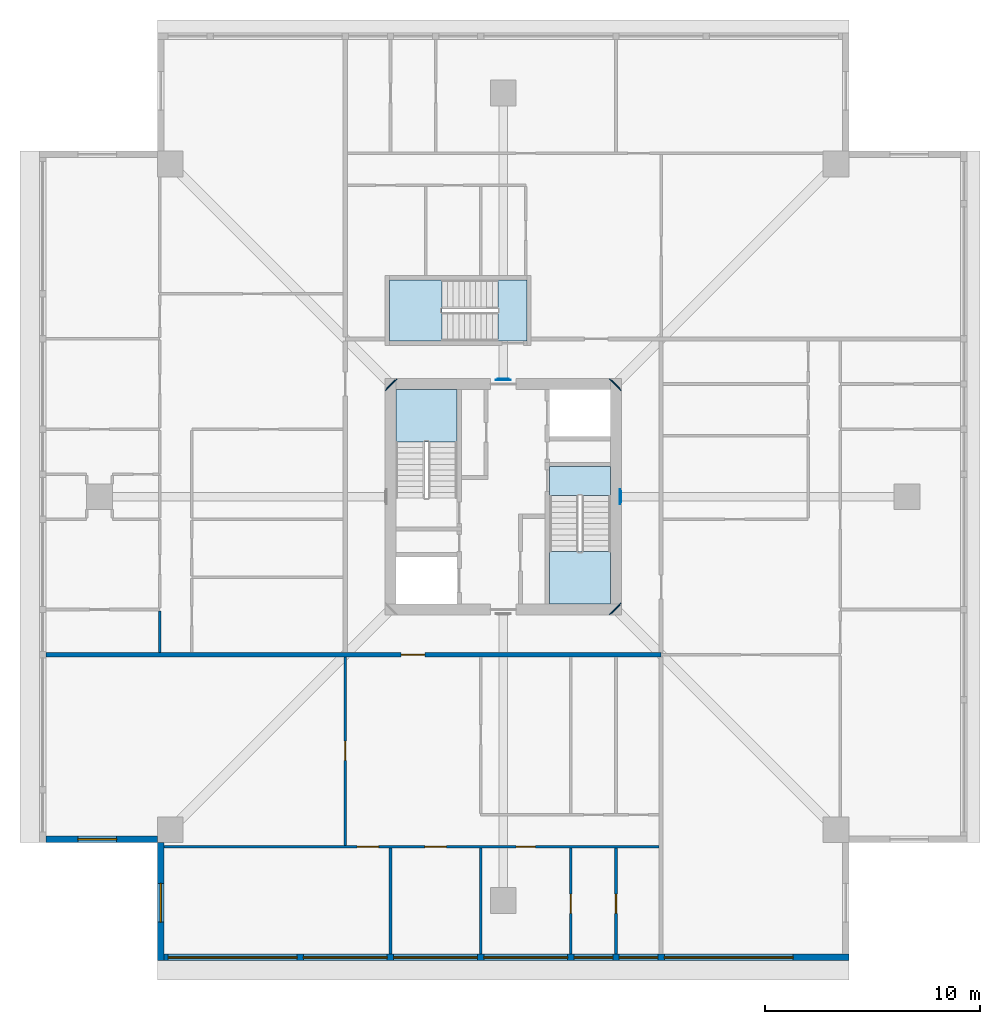
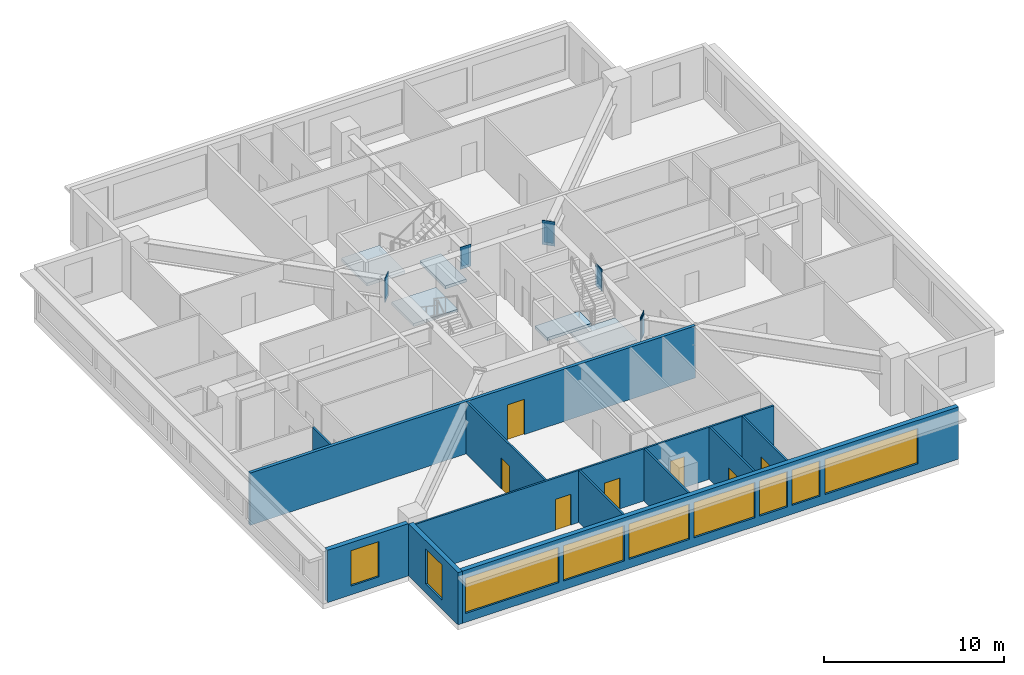
# One storey, part 4 of 12: 11 walls, 10 plates, 9 windows, 7 doors, 5 slabs, 16 openings, 3 elements without a shape of their own.
"""IFC4 building model written with IfcOpenShell, lengths in metres."""

from ifc_helpers import new_model, si_unit, direction, frame, frame_2d, origin, origin_2d, place, context, subcontext, project, spatial, polyline, rectangle, outline, extrude, material, layer, layer_set, type_object, element, fill, aggregate, save


model = new_model("IFC4")

# Units and contexts
model_context = context("Model", 3, precision=1e-05, world=origin(), true_north=direction((0.0, 1.0)))
body_context = subcontext(model_context, "Body", "Model", "MODEL_VIEW")
ifc_project = project(units=[si_unit("LENGTHUNIT", "METRE"), si_unit("AREAUNIT", "SQUARE_METRE"), si_unit("VOLUMEUNIT", "CUBIC_METRE"), si_unit("PLANEANGLEUNIT", "RADIAN"), si_unit("MASSUNIT", "GRAM", prefix="KILO")], contexts=[model_context])

# Site, building, storey
site_placement = place(None, origin())
site = spatial("IfcSite", under=ifc_project, at=site_placement, CompositionType="ELEMENT")
building_placement = place(site_placement, origin())
building = spatial("IfcBuilding", under=site, at=building_placement, Name="Khepri Terraces", CompositionType="ELEMENT")
storey_placement = place(building_placement, frame((0.0, 0.0, 296.699951171875)))
storey = spatial("IfcBuildingStorey", under=building, at=storey_placement, Name="L71", CompositionType="ELEMENT", Elevation=296.699951171875)

# Plates
ifc_material_1 = material(Name="Steel S355", Category="steel")
ifc_layer_1 = layer(ifc_material_1, 0.034912109375, Name="Steel S355", Category="steel")
ifc_layer_set_1 = layer_set([ifc_layer_1], Name="Steel S355")
plate_type_1 = type_object("IfcPlateType", Name="Cast-in plate 1500x700x35", PredefinedType="USERDEFINED", material=ifc_layer_set_1)
for number, where, z_axis, x_axis, name in (
    (1, (5.4423828125, 0.0, 2.25), (0.0, 0.0, 1.0), (1.0, 0.0, 0.0), "CAST-IN PLATE CG-L71-E MID wall A"),
    (2, (0.0, 5.4423828125, 2.25), (0.0, 0.0, 1.0), (0.0, 1.0, 0.0), "CAST-IN PLATE CG-L71-N MID wall A"),
):
    element("IfcPlate", number, at=place(storey_placement, frame(where, z_axis=z_axis, x_axis=x_axis)), inside=storey, type_object=plate_type_1, Name=name, ObjectType="CAST-IN PLATE", PredefinedType="USERDEFINED", context=body_context, shape_type="SweptSolid", body=[
        extrude(rectangle(XDim=0.034912109375, YDim=0.699951171875, at=origin_2d()), origin(), (0.0, 0.0, 1.0), 1.5),
    ])
ifc_layer_2 = layer(ifc_material_1, 0.034912109375, Name="Steel S355", Category="steel")
ifc_layer_set_2 = layer_set([ifc_layer_2], Name="Steel S355")
plate_type_2 = type_object("IfcPlateType", Name="Cast-in plate 1650x750x35", PredefinedType="USERDEFINED", material=ifc_layer_set_2)
for number, where, z_axis, x_axis, name in (
    (3, (5.209228515625, 5.209228515625, 2.10009765625), (0.0, 0.0, 1.0), (0.707106781187, 0.707106781187, 0.0), "CAST-IN PLATE CG-L71-EN MID wall A"),
    (4, (5.209228515625, -5.209228515625, 2.10009765625), (0.0, 0.0, 1.0), (0.707106781187, -0.707106781187, 0.0), "CAST-IN PLATE CG-L71-ES MID wall A"),
    (5, (-5.209228515625, 5.209228515625, 2.10009765625), (0.0, 0.0, 1.0), (-0.707106781187, 0.707106781187, 0.0), "CAST-IN PLATE CG-L71-WN MID wall A"),
):
    element("IfcPlate", number, at=place(storey_placement, frame(where, z_axis=z_axis, x_axis=x_axis)), inside=storey, type_object=plate_type_2, Name=name, ObjectType="CAST-IN PLATE", PredefinedType="USERDEFINED", context=body_context, shape_type="SweptSolid", body=[
        extrude(rectangle(XDim=0.034912109375, YDim=0.75, at=origin_2d()), origin(), (0.0, 0.0, 1.0), 1.64990234375),
    ])
ifc_layer_3 = layer(ifc_material_1, 0.0400390625, Name="Steel S355", Category="steel")
ifc_layer_set_3 = layer_set([ifc_layer_3], Name="Steel S355")
plate_type_3 = type_object("IfcPlateType", Name="End plate 1200x500x40", PredefinedType="USERDEFINED", material=ifc_layer_set_3)
for number, where, z_axis, x_axis, name in (
    (6, (5.47998046875, 0.0, 2.39990234375), (0.0, 0.0, 1.0), (1.0, 0.0, 0.0), "END PLATE CG-L71-E MID end A"),
    (7, (0.0, 5.47998046875, 2.39990234375), (0.0, 0.0, 1.0), (0.0, 1.0, 0.0), "END PLATE CG-L71-N MID end A"),
):
    element("IfcPlate", number, at=place(storey_placement, frame(where, z_axis=z_axis, x_axis=x_axis)), inside=storey, type_object=plate_type_3, Name=name, ObjectType="END PLATE", PredefinedType="USERDEFINED", context=body_context, shape_type="SweptSolid", body=[
        extrude(rectangle(XDim=0.0400390625, YDim=0.5, at=origin_2d()), origin(), (0.0, 0.0, 1.0), 1.199951171875),
    ])
ifc_layer_4 = layer(ifc_material_1, 0.0400390625, Name="Steel S355", Category="steel")
ifc_layer_set_4 = layer_set([ifc_layer_4], Name="Steel S355")
plate_type_4 = type_object("IfcPlateType", Name="End plate 1350x550x40", PredefinedType="USERDEFINED", material=ifc_layer_set_4)
for number, where, z_axis, x_axis, name in (
    (8, (5.23583984375, 5.23583984375, 2.25), (0.0, 0.0, 1.0), (0.707106781187, 0.707106781187, 0.0), "END PLATE CG-L71-EN MID end A"),
    (9, (5.23583984375, -5.23583984375, 2.25), (0.0, 0.0, 1.0), (0.707106781187, -0.707106781187, 0.0), "END PLATE CG-L71-ES MID end A"),
    (10, (-5.23583984375, 5.23583984375, 2.25), (0.0, 0.0, 1.0), (-0.707106781187, 0.707106781187, 0.0), "END PLATE CG-L71-WN MID end A"),
):
    element("IfcPlate", number, at=place(storey_placement, frame(where, z_axis=z_axis, x_axis=x_axis)), inside=storey, type_object=plate_type_4, Name=name, ObjectType="END PLATE", PredefinedType="USERDEFINED", context=body_context, shape_type="SweptSolid", body=[
        extrude(rectangle(XDim=0.0400390625, YDim=0.550048828125, at=origin_2d()), origin(), (0.0, 0.0, 1.0), 1.35009765625),
    ])

# Stair, slab
ifc_material_2 = material(Name="Concrete C40/50", Category="concrete")
stair_type = type_object("IfcStairType", Name="STAIR-RC-22R", PredefinedType="HALF_TURN_STAIR", material=ifc_material_2)
stair_1_placement = place(storey_placement, origin())
stair_1 = element("IfcStair", 11, at=stair_1_placement, inside=storey, type_object=stair_type, Name="L71 Exit Stair ST-1", PredefinedType="HALF_TURN_STAIR")
ifc_layer_5 = layer(ifc_material_2, 0.199951171875, Name="Concrete C40/50", Category="concrete")
ifc_layer_set_5 = layer_set([ifc_layer_5], Name="Concrete C40/50")
slab_type = type_object("IfcSlabType", Name="SLB-CORE-LANDING", PredefinedType="LANDING", material=ifc_layer_set_5)
slab_1_placement = place(storey_placement, frame((0.0, 0.0, 1.75)))
slab_1 = element("IfcSlab", 12, at=slab_1_placement, type_object=slab_type, Name="ST-1 landing 2", PredefinedType="LANDING", context=body_context, shape_type="SweptSolid", body=[
    extrude(outline(polyline([(-2.14990234375, 2.550048828125), (-2.14990234375, 5.0), (-5.0, 5.0), (-5.0, 2.550048828125), (-2.14990234375, 2.550048828125)])), origin(), (0.0, 0.0, 1.0), 0.199951171875),
])
aggregate(stair_1, [slab_1])

# Stair, slabs
stair_2_placement = place(storey_placement, origin())
stair_2 = element("IfcStair", 13, at=stair_2_placement, inside=storey, type_object=stair_type, Name="L71 Exit Stair ST-2", PredefinedType="HALF_TURN_STAIR")
slab_2_placement = place(storey_placement, frame((0.0, 0.0, -0.199951171875)))
slab_2 = element("IfcSlab", 14, at=slab_2_placement, type_object=slab_type, Name="ST-2 landing 1", PredefinedType="LANDING", context=body_context, shape_type="SweptSolid", body=[
    extrude(outline(polyline([(2.14990234375, 1.39990234375), (2.14990234375, 0.050048828125), (5.0, 0.050048828125), (5.0, 1.39990234375), (2.14990234375, 1.39990234375)])), origin(), (0.0, 0.0, 1.0), 0.199951171875),
])
slab_3_placement = place(storey_placement, frame((0.0, 0.0, 1.75)))
slab_3 = element("IfcSlab", 15, at=slab_3_placement, type_object=slab_type, Name="ST-2 landing 2", PredefinedType="LANDING", context=body_context, shape_type="SweptSolid", body=[
    extrude(outline(polyline([(2.14990234375, -2.550048828125), (2.14990234375, -5.0), (5.0, -5.0), (5.0, -2.550048828125), (2.14990234375, -2.550048828125)])), origin(), (0.0, 0.0, 1.0), 0.199951171875),
])
aggregate(stair_2, [slab_2, slab_3])

stair_3_placement = place(storey_placement, origin())
stair_3 = element("IfcStair", 16, at=stair_3_placement, inside=storey, type_object=stair_type, Name="L71 Exit Stair ST-3", PredefinedType="HALF_TURN_STAIR")
slab_4_placement = place(storey_placement, frame((0.0, 0.0, -0.199951171875)))
slab_4 = element("IfcSlab", 17, at=slab_4_placement, type_object=slab_type, Name="ST-3 landing 1", PredefinedType="LANDING", context=body_context, shape_type="SweptSolid", body=[
    extrude(outline(polyline([(1.10009765625, 10.10009765625), (-0.25, 10.10009765625), (-0.25, 7.25), (1.10009765625, 7.25), (1.10009765625, 10.10009765625)])), origin(), (0.0, 0.0, 1.0), 0.199951171875),
])
slab_5_placement = place(storey_placement, frame((0.0, 0.0, 1.75)))
slab_5 = element("IfcSlab", 18, at=slab_5_placement, type_object=slab_type, Name="ST-3 landing 2", PredefinedType="LANDING", context=body_context, shape_type="SweptSolid", body=[
    extrude(outline(polyline([(-2.85009765625, 10.10009765625), (-5.300048828125, 10.10009765625), (-5.300048828125, 7.25), (-2.85009765625, 7.25), (-2.85009765625, 10.10009765625)])), origin(), (0.0, 0.0, 1.0), 0.199951171875),
])
aggregate(stair_3, [slab_4, slab_5])

# Wall, opening, door
ifc_material_3 = material(Name="Fire-rated gypsum plasterboard partition, mineral wool")
ifc_layer_6 = layer(ifc_material_3, 0.199951171875, Name="Fire-rated gypsum plasterboard partition, mineral wool")
ifc_layer_set_6 = layer_set([ifc_layer_6], Name="Fire-rated gypsum plasterboard partition, mineral wool")
wall_type_1 = type_object("IfcWallType", Name="WL-CORR-200", PredefinedType="PARTITIONING", material=ifc_layer_set_6)
wall_1_placement = place(storey_placement, frame((-21.300048828125, -7.35009765625, 0.0), z_axis=(0.0, 0.0, 1.0), x_axis=(1.0, 0.0, 0.0)))
wall_1 = element("IfcWall", 19, at=wall_1_placement, inside=storey, type_object=wall_type_1, Name="Partition P-013 L71", PredefinedType="PARTITIONING", context=body_context, shape_type="SweptSolid", body=[
    extrude(rectangle(XDim=28.650146484375, YDim=0.199951171875, at=frame_2d((14.3251953125, 0.0))), origin(), (0.0, 0.0, 1.0), 3.550048828125),
])
opening_1_placement = place(wall_1_placement, frame((16.550048828125, 0.0, 0.0)))
opening_1 = element("IfcOpeningElement", 20, at=opening_1_placement, cuts=wall_1, Name="Opening D1", PredefinedType="OPENING", context=body_context, shape_type="SweptSolid", body=[
    extrude(rectangle(XDim=1.10009765625, YDim=2.39990234375, at=frame_2d((0.550048828125, 1.199951171875))), frame((0.0, 0.10986328125, 0.0), z_axis=(0.0, -1.0, 0.0), x_axis=(1.0, 0.0, 0.0)), (0.0, 0.0, 1.0), 0.219970703125),
])
ifc_material_4 = material(Name="Solid-core timber door leaf, flat entrance door", Category="wood")
door_type_1 = type_object("IfcDoorType", Name="DR-ENT-1100", OperationType="NOTDEFINED", PredefinedType="DOOR", material=ifc_material_4)
door_1_placement = place(opening_1_placement, frame((1.10009765625, 0.0, 0.0), z_axis=(0.0, 0.0, 1.0), x_axis=(-1.0, 0.0, 0.0)))
door_1 = element("IfcDoor", 21, at=door_1_placement, inside=storey, type_object=door_type_1, Name="Flat A1 entrance door", OperationType="SINGLE_SWING_LEFT", OverallHeight=2.39990234375, OverallWidth=1.10009765625, PredefinedType="DOOR", context=body_context, shape_type="SweptSolid", body=[
    extrude(rectangle(XDim=1.10009765625, YDim=2.39990234375, at=frame_2d((0.550048828125, 1.199951171875))), frame((0.0, 0.02490234375, 0.0), z_axis=(0.0, -1.0, 0.0), x_axis=(1.0, 0.0, 0.0)), (0.0, 0.0, 1.0), 0.050048828125),
])
fill(opening_1, door_1)

# Wall, opening, window
ifc_material_5 = material(Name="Precast concrete C50/60 warm stone", Category="masonry")
ifc_layer_7 = layer(ifc_material_5, 0.300048828125, Name="Precast concrete C50/60 warm stone", Category="masonry")
ifc_layer_set_7 = layer_set([ifc_layer_7], Name="Precast concrete C50/60 warm stone")
wall_type_2 = type_object("IfcWallType", Name="WL-EXT-PRECAST-300", PredefinedType="STANDARD", material=ifc_layer_set_7)
wall_2_placement = place(storey_placement, frame((-21.300048828125, -15.949951171875, 0.0), z_axis=(0.0, 0.0, 1.0), x_axis=(1.0, 0.0, 0.0)))
wall_2 = element("IfcWall", 22, at=wall_2_placement, inside=storey, type_object=wall_type_2, Name="External wall L71 S", PredefinedType="STANDARD", context=body_context, shape_type="SweptSolid", body=[
    extrude(rectangle(XDim=5.199951171875, YDim=0.300048828125, at=frame_2d((2.60009765625, 0.0))), origin(), (0.0, 0.0, 1.0), 3.550048828125),
])
opening_2_placement = place(wall_2_placement, frame((1.5, 0.0, 0.60009765625)))
opening_2 = element("IfcOpeningElement", 23, at=opening_2_placement, cuts=wall_2, Name="Opening WC1", PredefinedType="OPENING", context=body_context, shape_type="SweptSolid", body=[
    extrude(rectangle(XDim=1.800048828125, YDim=2.39990234375, at=frame_2d((0.89990234375, 1.199951171875))), frame((0.0, 0.16015625, 0.0), z_axis=(0.0, -1.0, 0.0), x_axis=(1.0, 0.0, 0.0)), (0.0, 0.0, 1.0), 0.320068359375),
])
ifc_material_6 = material(Name="Clear glass", Category="glass")
window_type_1 = type_object("IfcWindowType", Name="WIN-CRN-1800x2400", PartitioningType="SINGLE_PANEL", PredefinedType="WINDOW", material=ifc_material_6)
window_1_placement = place(opening_2_placement, origin())
window_1 = element("IfcWindow", 24, at=window_1_placement, inside=storey, type_object=window_type_1, Name="Window L71 S", OverallHeight=2.39990234375, OverallWidth=1.800048828125, PartitioningType="SINGLE_PANEL", PredefinedType="WINDOW", context=body_context, shape_type="SweptSolid", body=[
    extrude(rectangle(XDim=1.800048828125, YDim=2.39990234375, at=frame_2d((0.89990234375, 1.199951171875))), frame((0.0, 0.030029296875, 0.0), z_axis=(0.0, -1.0, 0.0), x_axis=(1.0, 0.0, 0.0)), (0.0, 0.0, 1.0), 0.06005859375),
])
fill(opening_2, window_1)

wall_3_placement = place(storey_placement, frame((-15.949951171875, -16.10009765625, 0.0), z_axis=(0.0, 0.0, 1.0), x_axis=(0.0, -1.0, 0.0)))
wall_3 = element("IfcWall", 25, at=wall_3_placement, inside=storey, type_object=wall_type_2, Name="External wall L71 W", PredefinedType="STANDARD", context=body_context, shape_type="SweptSolid", body=[
    extrude(rectangle(XDim=5.5, YDim=0.300048828125, at=frame_2d((2.75, 0.0))), origin(), (0.0, 0.0, 1.0), 3.550048828125),
])
opening_3_placement = place(wall_3_placement, frame((1.89990234375, 0.0, 0.60009765625)))
opening_3 = element("IfcOpeningElement", 26, at=opening_3_placement, cuts=wall_3, Name="Opening WC1", PredefinedType="OPENING", context=body_context, shape_type="SweptSolid", body=[
    extrude(rectangle(XDim=1.800048828125, YDim=2.39990234375, at=frame_2d((0.89990234375, 1.199951171875))), frame((0.0, 0.16015625, 0.0), z_axis=(0.0, -1.0, 0.0), x_axis=(1.0, 0.0, 0.0)), (0.0, 0.0, 1.0), 0.320068359375),
])
window_2_placement = place(opening_3_placement, origin())
window_2 = element("IfcWindow", 27, at=window_2_placement, inside=storey, type_object=window_type_1, Name="Window L71 W", OverallHeight=2.39990234375, OverallWidth=1.800048828125, PartitioningType="SINGLE_PANEL", PredefinedType="WINDOW", context=body_context, shape_type="SweptSolid", body=[
    extrude(rectangle(XDim=1.800048828125, YDim=2.39990234375, at=frame_2d((0.89990234375, 1.199951171875))), frame((0.0, 0.030029296875, 0.0), z_axis=(0.0, -1.0, 0.0), x_axis=(1.0, 0.0, 0.0)), (0.0, 0.0, 1.0), 0.06005859375),
])
fill(opening_3, window_2)

# Wall, openings, windows
wall_4_placement = place(storey_placement, frame((-15.800048828125, -21.449951171875, 0.0), z_axis=(0.0, 0.0, 1.0), x_axis=(1.0, 0.0, 0.0)))
wall_4 = element("IfcWall", 28, at=wall_4_placement, inside=storey, type_object=wall_type_2, Name="External wall L71 S", PredefinedType="STANDARD", context=body_context, shape_type="SweptSolid", body=[
    extrude(rectangle(XDim=31.900146484375, YDim=0.300048828125, at=frame_2d((15.9501953125, 0.0))), origin(), (0.0, 0.0, 1.0), 3.550048828125),
])
opening_4_placement = place(wall_4_placement, frame((0.199951171875, 0.0, 0.60009765625)))
opening_4 = element("IfcOpeningElement", 29, at=opening_4_placement, cuts=wall_4, Name="Opening WC3", PredefinedType="OPENING", context=body_context, shape_type="SweptSolid", body=[
    extrude(rectangle(XDim=6.0, YDim=2.39990234375, at=frame_2d((3.0, 1.199951171875))), frame((0.0, 0.16015625, 0.0), z_axis=(0.0, -1.0, 0.0), x_axis=(1.0, 0.0, 0.0)), (0.0, 0.0, 1.0), 0.320068359375),
])
opening_5_placement = place(wall_4_placement, frame((6.5, 0.0, 0.60009765625)))
opening_5 = element("IfcOpeningElement", 30, at=opening_5_placement, cuts=wall_4, Name="Opening WC2", PredefinedType="OPENING", context=body_context, shape_type="SweptSolid", body=[
    extrude(rectangle(XDim=3.89990234375, YDim=2.39990234375, at=frame_2d((1.949951171875, 1.199951171875))), frame((0.0, 0.16015625, 0.0), z_axis=(0.0, -1.0, 0.0), x_axis=(1.0, 0.0, 0.0)), (0.0, 0.0, 1.0), 0.320068359375),
])
opening_6_placement = place(wall_4_placement, frame((10.699951171875, 0.0, 0.60009765625)))
opening_6 = element("IfcOpeningElement", 31, at=opening_6_placement, cuts=wall_4, Name="Opening WC2", PredefinedType="OPENING", context=body_context, shape_type="SweptSolid", body=[
    extrude(rectangle(XDim=3.89990234375, YDim=2.39990234375, at=frame_2d((1.949951171875, 1.199951171875))), frame((0.0, 0.16015625, 0.0), z_axis=(0.0, -1.0, 0.0), x_axis=(1.0, 0.0, 0.0)), (0.0, 0.0, 1.0), 0.320068359375),
])
opening_7_placement = place(wall_4_placement, frame((14.89990234375, 0.0, 0.60009765625)))
opening_7 = element("IfcOpeningElement", 32, at=opening_7_placement, cuts=wall_4, Name="Opening WC2", PredefinedType="OPENING", context=body_context, shape_type="SweptSolid", body=[
    extrude(rectangle(XDim=3.89990234375, YDim=2.39990234375, at=frame_2d((1.949951171875, 1.199951171875))), frame((0.0, 0.16015625, 0.0), z_axis=(0.0, -1.0, 0.0), x_axis=(1.0, 0.0, 0.0)), (0.0, 0.0, 1.0), 0.320068359375),
])
opening_8_placement = place(wall_4_placement, frame((19.10009765625, 0.0, 0.60009765625)))
opening_8 = element("IfcOpeningElement", 33, at=opening_8_placement, cuts=wall_4, Name="Opening WC1", PredefinedType="OPENING", context=body_context, shape_type="SweptSolid", body=[
    extrude(rectangle(XDim=1.800048828125, YDim=2.39990234375, at=frame_2d((0.89990234375, 1.199951171875))), frame((0.0, 0.16015625, 0.0), z_axis=(0.0, -1.0, 0.0), x_axis=(1.0, 0.0, 0.0)), (0.0, 0.0, 1.0), 0.320068359375),
])
opening_9_placement = place(wall_4_placement, frame((21.199951171875, 0.0, 0.60009765625)))
opening_9 = element("IfcOpeningElement", 34, at=opening_9_placement, cuts=wall_4, Name="Opening WC1", PredefinedType="OPENING", context=body_context, shape_type="SweptSolid", body=[
    extrude(rectangle(XDim=1.800048828125, YDim=2.39990234375, at=frame_2d((0.89990234375, 1.199951171875))), frame((0.0, 0.16015625, 0.0), z_axis=(0.0, -1.0, 0.0), x_axis=(1.0, 0.0, 0.0)), (0.0, 0.0, 1.0), 0.320068359375),
])
opening_10_placement = place(wall_4_placement, frame((23.300048828125, 0.0, 0.60009765625)))
opening_10 = element("IfcOpeningElement", 35, at=opening_10_placement, cuts=wall_4, Name="Opening WC3", PredefinedType="OPENING", context=body_context, shape_type="SweptSolid", body=[
    extrude(rectangle(XDim=6.0, YDim=2.39990234375, at=frame_2d((3.0, 1.199951171875))), frame((0.0, 0.16015625, 0.0), z_axis=(0.0, -1.0, 0.0), x_axis=(1.0, 0.0, 0.0)), (0.0, 0.0, 1.0), 0.320068359375),
])
window_3_placement = place(opening_8_placement, origin())
window_3 = element("IfcWindow", 36, at=window_3_placement, inside=storey, type_object=window_type_1, Name="Window L71 S", OverallHeight=2.39990234375, OverallWidth=1.800048828125, PartitioningType="SINGLE_PANEL", PredefinedType="WINDOW", context=body_context, shape_type="SweptSolid", body=[
    extrude(rectangle(XDim=1.800048828125, YDim=2.39990234375, at=frame_2d((0.89990234375, 1.199951171875))), frame((0.0, 0.030029296875, 0.0), z_axis=(0.0, -1.0, 0.0), x_axis=(1.0, 0.0, 0.0)), (0.0, 0.0, 1.0), 0.06005859375),
])
fill(opening_8, window_3)
window_4_placement = place(opening_9_placement, origin())
window_4 = element("IfcWindow", 37, at=window_4_placement, inside=storey, type_object=window_type_1, Name="Window L71 S", OverallHeight=2.39990234375, OverallWidth=1.800048828125, PartitioningType="SINGLE_PANEL", PredefinedType="WINDOW", context=body_context, shape_type="SweptSolid", body=[
    extrude(rectangle(XDim=1.800048828125, YDim=2.39990234375, at=frame_2d((0.89990234375, 1.199951171875))), frame((0.0, 0.030029296875, 0.0), z_axis=(0.0, -1.0, 0.0), x_axis=(1.0, 0.0, 0.0)), (0.0, 0.0, 1.0), 0.06005859375),
])
fill(opening_9, window_4)
window_type_2 = type_object("IfcWindowType", Name="WIN-CRN-3900x2400", PartitioningType="SINGLE_PANEL", PredefinedType="WINDOW", material=ifc_material_6)
window_5_placement = place(opening_5_placement, origin())
window_5 = element("IfcWindow", 38, at=window_5_placement, inside=storey, type_object=window_type_2, Name="Window L71 S", OverallHeight=2.39990234375, OverallWidth=3.89990234375, PartitioningType="SINGLE_PANEL", PredefinedType="WINDOW", context=body_context, shape_type="SweptSolid", body=[
    extrude(rectangle(XDim=3.89990234375, YDim=2.39990234375, at=frame_2d((1.949951171875, 1.199951171875))), frame((0.0, 0.030029296875, 0.0), z_axis=(0.0, -1.0, 0.0), x_axis=(1.0, 0.0, 0.0)), (0.0, 0.0, 1.0), 0.06005859375),
])
fill(opening_5, window_5)
window_6_placement = place(opening_6_placement, origin())
window_6 = element("IfcWindow", 39, at=window_6_placement, inside=storey, type_object=window_type_2, Name="Window L71 S", OverallHeight=2.39990234375, OverallWidth=3.89990234375, PartitioningType="SINGLE_PANEL", PredefinedType="WINDOW", context=body_context, shape_type="SweptSolid", body=[
    extrude(rectangle(XDim=3.89990234375, YDim=2.39990234375, at=frame_2d((1.949951171875, 1.199951171875))), frame((0.0, 0.030029296875, 0.0), z_axis=(0.0, -1.0, 0.0), x_axis=(1.0, 0.0, 0.0)), (0.0, 0.0, 1.0), 0.06005859375),
])
fill(opening_6, window_6)
window_7_placement = place(opening_7_placement, origin())
window_7 = element("IfcWindow", 40, at=window_7_placement, inside=storey, type_object=window_type_2, Name="Window L71 S", OverallHeight=2.39990234375, OverallWidth=3.89990234375, PartitioningType="SINGLE_PANEL", PredefinedType="WINDOW", context=body_context, shape_type="SweptSolid", body=[
    extrude(rectangle(XDim=3.89990234375, YDim=2.39990234375, at=frame_2d((1.949951171875, 1.199951171875))), frame((0.0, 0.030029296875, 0.0), z_axis=(0.0, -1.0, 0.0), x_axis=(1.0, 0.0, 0.0)), (0.0, 0.0, 1.0), 0.06005859375),
])
fill(opening_7, window_7)
window_type_3 = type_object("IfcWindowType", Name="WIN-CRN-6000x2400", PartitioningType="SINGLE_PANEL", PredefinedType="WINDOW", material=ifc_material_6)
window_8_placement = place(opening_4_placement, origin())
window_8 = element("IfcWindow", 41, at=window_8_placement, inside=storey, type_object=window_type_3, Name="Window L71 S", OverallHeight=2.39990234375, OverallWidth=6.0, PartitioningType="SINGLE_PANEL", PredefinedType="WINDOW", context=body_context, shape_type="SweptSolid", body=[
    extrude(rectangle(XDim=6.0, YDim=2.39990234375, at=frame_2d((3.0, 1.199951171875))), frame((0.0, 0.030029296875, 0.0), z_axis=(0.0, -1.0, 0.0), x_axis=(1.0, 0.0, 0.0)), (0.0, 0.0, 1.0), 0.06005859375),
])
fill(opening_4, window_8)
window_9_placement = place(opening_10_placement, origin())
window_9 = element("IfcWindow", 42, at=window_9_placement, inside=storey, type_object=window_type_3, Name="Window L71 S", OverallHeight=2.39990234375, OverallWidth=6.0, PartitioningType="SINGLE_PANEL", PredefinedType="WINDOW", context=body_context, shape_type="SweptSolid", body=[
    extrude(rectangle(XDim=6.0, YDim=2.39990234375, at=frame_2d((3.0, 1.199951171875))), frame((0.0, 0.030029296875, 0.0), z_axis=(0.0, -1.0, 0.0), x_axis=(1.0, 0.0, 0.0)), (0.0, 0.0, 1.0), 0.06005859375),
])
fill(opening_10, window_9)

# Walls
ifc_material_7 = material(Name="Gypsum plasterboard partition")
ifc_layer_8 = layer(ifc_material_7, 0.1201171875, Name="Gypsum plasterboard partition")
ifc_layer_set_8 = layer_set([ifc_layer_8], Name="Gypsum plasterboard partition")
wall_type_3 = type_object("IfcWallType", Name="WL-PART-120", PredefinedType="PARTITIONING", material=ifc_layer_set_8)
for number, where, z_axis, x_axis, name in (
    (43, (-5.25, -21.300048828125, 0.0), (0.0, 0.0, 1.0), (0.0, 1.0, 0.0), "Partition P-001 L71"),
    (44, (-1.050048828125, -21.300048828125, 0.0), (0.0, 0.0, 1.0), (0.0, 1.0, 0.0), "Partition P-002 L71"),
):
    element("IfcWall", number, at=place(storey_placement, frame(where, z_axis=z_axis, x_axis=x_axis)), inside=storey, type_object=wall_type_3, Name=name, PredefinedType="PARTITIONING", context=body_context, shape_type="SweptSolid", body=[
        extrude(rectangle(XDim=4.93994140625, YDim=0.1201171875, at=frame_2d((2.469970703125, 0.0))), origin(), (0.0, 0.0, 1.0), 3.550048828125),
    ])

# Wall, opening, door
wall_5_placement = place(storey_placement, frame((3.14990234375, -21.300048828125, 0.0), z_axis=(0.0, 0.0, 1.0), x_axis=(0.0, 1.0, 0.0)))
wall_5 = element("IfcWall", 45, at=wall_5_placement, inside=storey, type_object=wall_type_3, Name="Partition P-003 L71", PredefinedType="PARTITIONING", context=body_context, shape_type="SweptSolid", body=[
    extrude(rectangle(XDim=4.93994140625, YDim=0.1201171875, at=frame_2d((2.469970703125, 0.0))), origin(), (0.0, 0.0, 1.0), 3.550048828125),
])
opening_11_placement = place(wall_5_placement, frame((1.89990234375, 0.0, 0.0)))
opening_11 = element("IfcOpeningElement", 46, at=opening_11_placement, cuts=wall_5, Name="Opening D3", PredefinedType="OPENING", context=body_context, shape_type="SweptSolid", body=[
    extrude(rectangle(XDim=0.89990234375, YDim=2.10009765625, at=frame_2d((0.449951171875, 1.050048828125))), frame((0.0, 0.070068359375, 0.0), z_axis=(0.0, -1.0, 0.0), x_axis=(1.0, 0.0, 0.0)), (0.0, 0.0, 1.0), 0.14013671875),
])
ifc_material_8 = material(Name="Timber door leaf", Category="wood")
door_type_2 = type_object("IfcDoorType", Name="DR-INT-900", OperationType="NOTDEFINED", PredefinedType="DOOR", material=ifc_material_8)
door_2_placement = place(opening_11_placement, frame((0.89990234375, 0.0, 0.0), z_axis=(0.0, 0.0, 1.0), x_axis=(-1.0, 0.0, 0.0)))
door_2 = element("IfcDoor", 47, at=door_2_placement, inside=storey, type_object=door_type_2, Name="Door Dressing Room", OperationType="SINGLE_SWING_RIGHT", OverallHeight=2.10009765625, OverallWidth=0.89990234375, PredefinedType="DOOR", context=body_context, shape_type="SweptSolid", body=[
    extrude(rectangle(XDim=0.89990234375, YDim=2.10009765625, at=frame_2d((0.449951171875, 1.050048828125))), frame((0.0, 0.02490234375, 0.0), z_axis=(0.0, -1.0, 0.0), x_axis=(1.0, 0.0, 0.0)), (0.0, 0.0, 1.0), 0.050048828125),
])
fill(opening_11, door_2)

wall_6_placement = place(storey_placement, frame((5.25, -21.300048828125, 0.0), z_axis=(0.0, 0.0, 1.0), x_axis=(0.0, 1.0, 0.0)))
wall_6 = element("IfcWall", 48, at=wall_6_placement, inside=storey, type_object=wall_type_3, Name="Partition P-004 L71", PredefinedType="PARTITIONING", context=body_context, shape_type="SweptSolid", body=[
    extrude(rectangle(XDim=4.93994140625, YDim=0.1201171875, at=frame_2d((2.469970703125, 0.0))), origin(), (0.0, 0.0, 1.0), 3.550048828125),
])
opening_12_placement = place(wall_6_placement, frame((1.89990234375, 0.0, 0.0)))
opening_12 = element("IfcOpeningElement", 49, at=opening_12_placement, cuts=wall_6, Name="Opening D4", PredefinedType="OPENING", context=body_context, shape_type="SweptSolid", body=[
    extrude(rectangle(XDim=0.89990234375, YDim=2.10009765625, at=frame_2d((0.449951171875, 1.050048828125))), frame((0.0, 0.070068359375, 0.0), z_axis=(0.0, -1.0, 0.0), x_axis=(1.0, 0.0, 0.0)), (0.0, 0.0, 1.0), 0.14013671875),
])
ifc_material_9 = material(Name="Timber door leaf, moisture resistant", Category="wood")
door_type_3 = type_object("IfcDoorType", Name="DR-WET-900", OperationType="NOTDEFINED", PredefinedType="DOOR", material=ifc_material_9)
door_3_placement = place(opening_12_placement, frame((0.89990234375, 0.0, 0.0), z_axis=(0.0, 0.0, 1.0), x_axis=(-1.0, 0.0, 0.0)))
door_3 = element("IfcDoor", 50, at=door_3_placement, inside=storey, type_object=door_type_3, Name="Door Bathroom", OperationType="SINGLE_SWING_RIGHT", OverallHeight=2.10009765625, OverallWidth=0.89990234375, PredefinedType="DOOR", context=body_context, shape_type="SweptSolid", body=[
    extrude(rectangle(XDim=0.89990234375, YDim=2.10009765625, at=frame_2d((0.449951171875, 1.050048828125))), frame((0.0, 0.02490234375, 0.0), z_axis=(0.0, -1.0, 0.0), x_axis=(1.0, 0.0, 0.0)), (0.0, 0.0, 1.0), 0.050048828125),
])
fill(opening_12, door_3)

# Wall, openings, doors
wall_7_placement = place(storey_placement, frame((-15.800048828125, -16.300048828125, 0.0), z_axis=(0.0, 0.0, 1.0), x_axis=(1.0, 0.0, 0.0)))
wall_7 = element("IfcWall", 51, at=wall_7_placement, inside=storey, type_object=wall_type_3, Name="Partition P-006 L71", PredefinedType="PARTITIONING", context=body_context, shape_type="SweptSolid", body=[
    extrude(rectangle(XDim=23.050048828125, YDim=0.1201171875, at=frame_2d((11.52490234375, 0.0))), origin(), (0.0, 0.0, 1.0), 3.550048828125),
])
opening_13_placement = place(wall_7_placement, frame((9.0, 0.0, 0.0)))
opening_13 = element("IfcOpeningElement", 52, at=opening_13_placement, cuts=wall_7, Name="Opening D2", PredefinedType="OPENING", context=body_context, shape_type="SweptSolid", body=[
    extrude(rectangle(XDim=1.0, YDim=2.10009765625, at=frame_2d((0.5, 1.050048828125))), frame((0.0, 0.070068359375, 0.0), z_axis=(0.0, -1.0, 0.0), x_axis=(1.0, 0.0, 0.0)), (0.0, 0.0, 1.0), 0.14013671875),
])
opening_14_placement = place(wall_7_placement, frame((12.14990234375, 0.0, 0.0)))
opening_14 = element("IfcOpeningElement", 53, at=opening_14_placement, cuts=wall_7, Name="Opening D2", PredefinedType="OPENING", context=body_context, shape_type="SweptSolid", body=[
    extrude(rectangle(XDim=1.0, YDim=2.10009765625, at=frame_2d((0.5, 1.050048828125))), frame((0.0, 0.070068359375, 0.0), z_axis=(0.0, -1.0, 0.0), x_axis=(1.0, 0.0, 0.0)), (0.0, 0.0, 1.0), 0.14013671875),
])
opening_15_placement = place(wall_7_placement, frame((16.39990234375, 0.0, 0.0)))
opening_15 = element("IfcOpeningElement", 54, at=opening_15_placement, cuts=wall_7, Name="Opening D3", PredefinedType="OPENING", context=body_context, shape_type="SweptSolid", body=[
    extrude(rectangle(XDim=0.89990234375, YDim=2.10009765625, at=frame_2d((0.449951171875, 1.050048828125))), frame((0.0, 0.070068359375, 0.0), z_axis=(0.0, -1.0, 0.0), x_axis=(1.0, 0.0, 0.0)), (0.0, 0.0, 1.0), 0.14013671875),
])
ifc_material_10 = material(Name="Timber door leaf, living room door", Category="wood")
door_type_4 = type_object("IfcDoorType", Name="DR-INT-1000", OperationType="NOTDEFINED", PredefinedType="DOOR", material=ifc_material_10)
door_4_placement = place(opening_13_placement, frame((1.0, 0.0, 0.0), z_axis=(0.0, 0.0, 1.0), x_axis=(-1.0, 0.0, 0.0)))
door_4 = element("IfcDoor", 55, at=door_4_placement, inside=storey, type_object=door_type_4, Name="Door Living Room", OperationType="SINGLE_SWING_RIGHT", OverallHeight=2.10009765625, OverallWidth=1.0, PredefinedType="DOOR", context=body_context, shape_type="SweptSolid", body=[
    extrude(rectangle(XDim=1.0, YDim=2.10009765625, at=frame_2d((0.5, 1.050048828125))), frame((0.0, 0.02490234375, 0.0), z_axis=(0.0, -1.0, 0.0), x_axis=(1.0, 0.0, 0.0)), (0.0, 0.0, 1.0), 0.050048828125),
])
fill(opening_13, door_4)
door_5_placement = place(opening_14_placement, frame((1.0, 0.0, 0.0), z_axis=(0.0, 0.0, 1.0), x_axis=(-1.0, 0.0, 0.0)))
door_5 = element("IfcDoor", 56, at=door_5_placement, inside=storey, type_object=door_type_4, Name="Door Family Room", OperationType="SINGLE_SWING_LEFT", OverallHeight=2.10009765625, OverallWidth=1.0, PredefinedType="DOOR", context=body_context, shape_type="SweptSolid", body=[
    extrude(rectangle(XDim=1.0, YDim=2.10009765625, at=frame_2d((0.5, 1.050048828125))), frame((0.0, 0.02490234375, 0.0), z_axis=(0.0, -1.0, 0.0), x_axis=(1.0, 0.0, 0.0)), (0.0, 0.0, 1.0), 0.050048828125),
])
fill(opening_14, door_5)
door_6_placement = place(opening_15_placement, frame((0.89990234375, 0.0, 0.0), z_axis=(0.0, 0.0, 1.0), x_axis=(-1.0, 0.0, 0.0)))
door_6 = element("IfcDoor", 57, at=door_6_placement, inside=storey, type_object=door_type_2, Name="Door Master Bedroom", OperationType="SINGLE_SWING_LEFT", OverallHeight=2.10009765625, OverallWidth=0.89990234375, PredefinedType="DOOR", context=body_context, shape_type="SweptSolid", body=[
    extrude(rectangle(XDim=0.89990234375, YDim=2.10009765625, at=frame_2d((0.449951171875, 1.050048828125))), frame((0.0, 0.02490234375, 0.0), z_axis=(0.0, -1.0, 0.0), x_axis=(1.0, 0.0, 0.0)), (0.0, 0.0, 1.0), 0.050048828125),
])
fill(opening_15, door_6)

# Wall, opening, door
wall_8_placement = place(storey_placement, frame((-7.35009765625, -16.239990234375, 0.0), z_axis=(0.0, 0.0, 1.0), x_axis=(0.0, 1.0, 0.0)))
wall_8 = element("IfcWall", 58, at=wall_8_placement, inside=storey, type_object=wall_type_3, Name="Partition P-007 L71", PredefinedType="PARTITIONING", context=body_context, shape_type="SweptSolid", body=[
    extrude(rectangle(XDim=8.7900390625, YDim=0.1201171875, at=frame_2d((4.39501953125, 0.0))), origin(), (0.0, 0.0, 1.0), 3.550048828125),
])
opening_16_placement = place(wall_8_placement, frame((3.965087890625, 0.0, 0.0)))
opening_16 = element("IfcOpeningElement", 59, at=opening_16_placement, cuts=wall_8, Name="Opening D3", PredefinedType="OPENING", context=body_context, shape_type="SweptSolid", body=[
    extrude(rectangle(XDim=0.89990234375, YDim=2.10009765625, at=frame_2d((0.449951171875, 1.050048828125))), frame((0.0, 0.070068359375, 0.0), z_axis=(0.0, -1.0, 0.0), x_axis=(1.0, 0.0, 0.0)), (0.0, 0.0, 1.0), 0.14013671875),
])
door_7_placement = place(opening_16_placement, origin())
door_7 = element("IfcDoor", 60, at=door_7_placement, inside=storey, type_object=door_type_2, Name="Door Home Gym", OperationType="SINGLE_SWING_RIGHT", OverallHeight=2.10009765625, OverallWidth=0.89990234375, PredefinedType="DOOR", context=body_context, shape_type="SweptSolid", body=[
    extrude(rectangle(XDim=0.89990234375, YDim=2.10009765625, at=frame_2d((0.449951171875, 1.050048828125))), frame((0.0, 0.02490234375, 0.0), z_axis=(0.0, -1.0, 0.0), x_axis=(1.0, 0.0, 0.0)), (0.0, 0.0, 1.0), 0.050048828125),
])
fill(opening_16, door_7)

# Wall
wall_9_placement = place(storey_placement, frame((-16.0, -7.25, 0.0), z_axis=(0.0, 0.0, 1.0), x_axis=(0.0, 1.0, 0.0)))
element("IfcWall", 61, at=wall_9_placement, inside=storey, type_object=wall_type_3, Name="Partition P-016 L71", PredefinedType="PARTITIONING", context=body_context, shape_type="SweptSolid", body=[
    extrude(rectangle(XDim=1.93994140625, YDim=0.1201171875, at=frame_2d((0.969970703125, 0.0))), origin(), (0.0, 0.0, 1.0), 3.550048828125),
])

save(model, "model.ifc")
